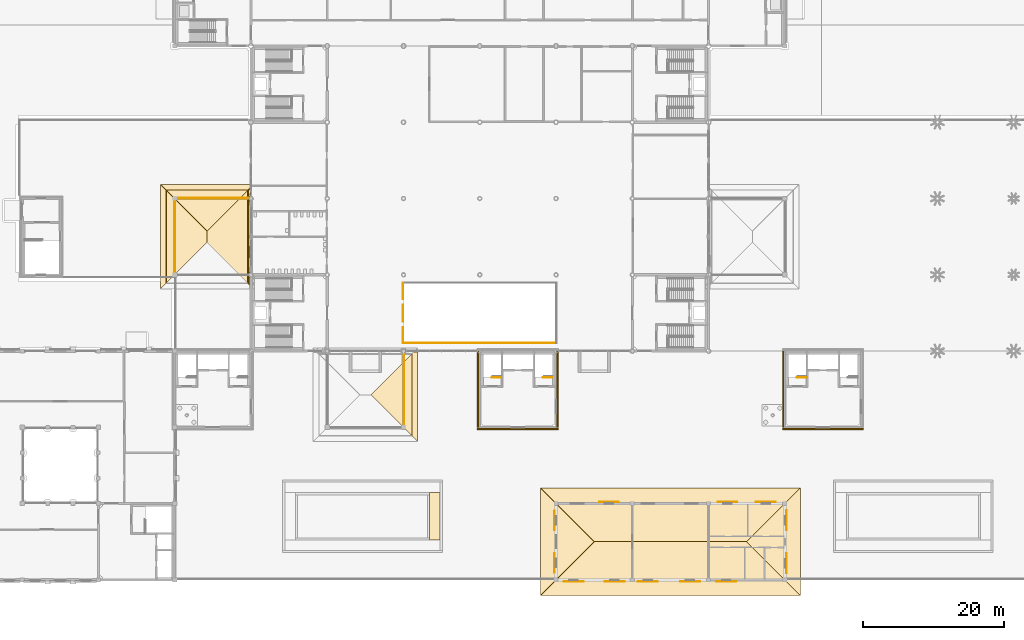
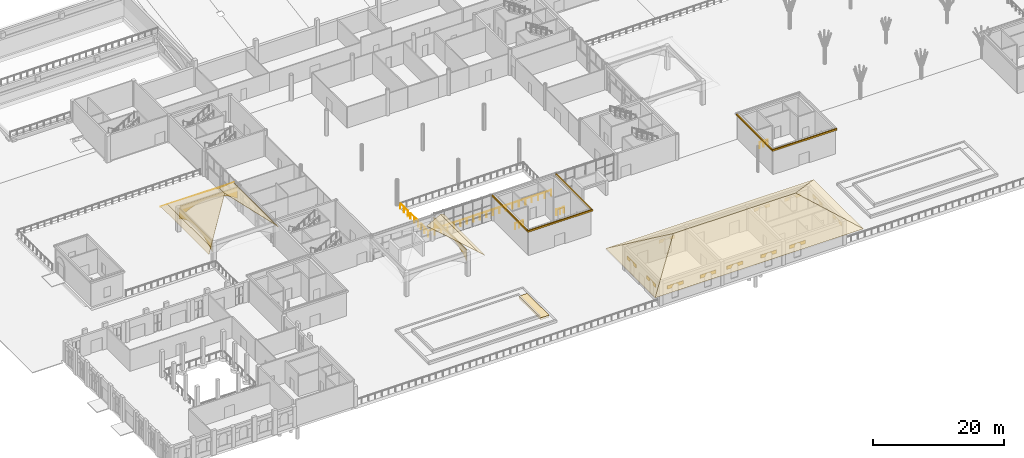
# One storey, part 80 of 91: 33 coverings, 7 railings.
"""IFC4 building model written with IfcOpenShell, lengths in metres."""

from ifc_helpers import new_model, si_unit, direction, frame, origin, origin_2d, place, context, subcontext, project, spatial, polyline, rectangle, circle, outline, extrude, material, layer, layer_set, type_object, element, save


model = new_model("IFC4")

# Units and contexts
model_context = context("Model", 3, precision=1e-05, world=origin(), true_north=direction((0.0, 1.0)))
body_context = subcontext(model_context, "Body", "Model", "MODEL_VIEW")
ifc_project = project(units=[si_unit("LENGTHUNIT", "METRE"), si_unit("AREAUNIT", "SQUARE_METRE"), si_unit("VOLUMEUNIT", "CUBIC_METRE"), si_unit("PLANEANGLEUNIT", "RADIAN"), si_unit("MASSUNIT", "GRAM", prefix="KILO")], contexts=[model_context])

# Site, building, storey
site_placement = place(None, origin())
site = spatial("IfcSite", under=ifc_project, at=site_placement, CompositionType="ELEMENT")
building_placement = place(site_placement, origin())
building = spatial("IfcBuilding", under=site, at=building_placement, Name="Magnolia Steps Interchange", CompositionType="ELEMENT")
storey_placement = place(building_placement, origin())
storey = spatial("IfcBuildingStorey", under=building, at=storey_placement, Name="L00", CompositionType="ELEMENT", Elevation=0.0)

# Coverings
ifc_material_1 = material(Name="Clay pantile")
ifc_layer_1 = layer(ifc_material_1, 0.0400390625)
ifc_layer_set_1 = layer_set([ifc_layer_1], Name="Clay pantile roofing")
covering_type_1 = type_object("IfcCoveringType", Name="Clay pantile roofing", PredefinedType="ROOFING", material=ifc_layer_set_1)
covering_1_placement = place(storey_placement, frame((76.0, 30.39990234375, 4.65283203125), z_axis=(0.500570799371, 0.0, 0.865695601708), x_axis=(0.0, 1.0, 0.0)))
element("IfcCovering", 1, at=covering_1_placement, inside=storey, type_object=covering_type_1, Name="Clay pantile roof PT-S2 4", PredefinedType="ROOFING", context=body_context, shape_type="SweptSolid", body=[
    extrude(outline(polyline([(0.0, 0.0), (11.600097656, 0.0), (5.800048828, 6.699870967), (0.0, 0.0)])), origin(), (0.0, 0.0, -1.0), 0.0400390625),
])
for number, where, z_axis, x_axis, name in (
    (2, (52.800048828125, 52.0, 4.628662109375), (0.615661421178, 0.0, 0.788010795912), (0.0, 1.0, 0.0), "Clay pantile roof PT-W2 1"),
    (3, (41.199951171875, 65.199951171875, 4.628662109375), (-0.615661421178, 0.0, 0.788010795912), (0.0, -1.0, 0.0), "Clay pantile roof PT-W2 2"),
):
    element("IfcCovering", number, at=place(storey_placement, frame(where, z_axis=z_axis, x_axis=x_axis)), inside=storey, type_object=covering_type_1, Name=name, PredefinedType="ROOFING", context=body_context, shape_type="SweptSolid", body=[
        extrude(outline(polyline([(0.0, 0.0), (13.199951172, 0.0), (7.399902344, 7.360367216), (5.800048828, 7.360367216), (0.0, 0.0)])), origin(), (0.0, 0.0, -1.0), 0.0400390625),
    ])
covering_2_placement = place(storey_placement, frame((52.800048828125, 65.199951171875, 4.628662109375), z_axis=(0.0, 0.615661421178, 0.788010795912), x_axis=(-1.0, 0.0, 0.0)))
element("IfcCovering", 4, at=covering_2_placement, inside=storey, type_object=covering_type_1, Name="Clay pantile roof PT-W2 4", PredefinedType="ROOFING", context=body_context, shape_type="SweptSolid", body=[
    extrude(outline(polyline([(0.0, 0.0), (11.600097656, 0.0), (5.800048828, 7.360367216), (0.0, 0.0)])), origin(), (0.0, 0.0, -1.0), 0.0400390625),
])
covering_3_placement = place(storey_placement, frame((76.280029296875, 42.280029296875, 4.490966796875), z_axis=(0.500599481237, -2.409761e-06, 0.865679016368), x_axis=(0.86567901637, -2.35e-10, -0.500599481238)))
element("IfcCovering", 5, at=covering_3_placement, inside=storey, type_object=covering_type_1, Name="Clay pantile eave Portico roof slab PT-S2 4 1", PredefinedType="ROOFING", context=body_context, shape_type="SweptSolid", body=[
    extrude(outline(polyline([(0.0, 0.0), (0.600740934, 0.0), (0.600740937, -12.679931641), (-0.323445136, -11.880126953), (-0.323445139, -0.280029297), (0.0, 0.0)])), origin(), (0.0, 0.0, -1.0), 0.0400390625),
])
covering_4_placement = place(storey_placement, frame((52.89111328125, 64.32470703125, 4.557373046875), z_axis=(0.615676378611, 6.16867e-07, 0.787999109657), x_axis=(-0.567311585353, -0.694036610553, 0.443250209629)))
element("IfcCovering", 6, at=covering_4_placement, inside=storey, type_object=covering_type_1, Name="Clay pantile eave Portico roof slab PT-W2 1 1", PredefinedType="ROOFING", context=body_context, shape_type="SweptSolid", body=[
    extrude(outline(polyline([(0.0, 0.0), (0.028493296, 0.0), (0.4549487, 0.444130237), (0.449129255, 0.469408832), (0.278322541, 0.63407), (7.322895803, 7.941563496), (7.493702517, 7.776902329), (7.524122579, 7.775384), (7.949607665, 8.217736742), (7.944758537, 8.244792832), (7.842582687, 8.343292442), (8.592196448, 9.120883572), (8.637058705, 8.792780856), (-0.524190666, -0.710388137), (-1.038829081, -0.65884279), (-0.218501055, 0.164520175), (-0.220961428, 0.191308132), (-0.274515895, 0.243274846), (-0.264010458, 0.254172371), (0.0, 0.0)])), origin(), (0.0, 0.0, -1.0), 0.0400390625),
])
covering_5_placement = place(storey_placement, frame((41.199951171875, 65.199951171875, 4.628662109375), z_axis=(-0.615770014233, 0.0, 0.78792594168), x_axis=(0.0, -1.0, 0.0)))
element("IfcCovering", 7, at=covering_5_placement, inside=storey, type_object=covering_type_1, Name="Clay pantile eave Portico roof slab PT-W2 2 1", PredefinedType="ROOFING", context=body_context, shape_type="SweptSolid", body=[
    extrude(outline(polyline([(0.0, 0.0), (13.199951172, 0.0), (14.0, -1.01538582), (-0.800048828, -1.01538582), (0.0, 0.0)])), origin(), (0.0, 0.0, -1.0), 0.0400390625),
])
covering_6_placement = place(storey_placement, frame((40.39990234375, 66.0, 4.00341796875), z_axis=(3.482003e-06, 0.615769149408, 0.787926617538), x_axis=(0.999999999994, -2.14411e-06, -2.743563e-06)))
element("IfcCovering", 8, at=covering_6_placement, inside=storey, type_object=covering_type_1, Name="Clay pantile eave Portico roof slab PT-W2 4 1", PredefinedType="ROOFING", context=body_context, shape_type="SweptSolid", body=[
    extrude(outline(polyline([(0.0, 0.0), (12.720214844, 0.0), (12.720214844, -0.609102818), (12.400146484, -1.01538582), (0.800048828, -1.01538582), (0.0, 0.0)])), origin(), (0.0, 0.0, -1.0), 0.0400390625),
])
covering_7_placement = place(storey_placement, frame((94.199951171875, 7.800048828125, 3.424560546875), z_axis=(0.0, -0.529927923074, 0.84804268545), x_axis=(1.0, 0.0, 0.0)))
element("IfcCovering", 9, at=covering_7_placement, inside=storey, type_object=covering_type_1, Name="Clay pantile roof pavilion 1", PredefinedType="ROOFING", context=body_context, shape_type="SweptSolid", body=[
    extrude(outline(polyline([(0.0, 0.0), (36.800048828, 0.0), (29.199951172, 8.961640311), (7.600097656, 8.961640311), (0.0, 0.0)])), origin(), (0.0, 0.0, -1.0), 0.0400390625),
])
covering_8_placement = place(storey_placement, frame((131.0, 23.0, 3.424560546875), z_axis=(0.0, 0.529915680324, 0.848050335621), x_axis=(-1.0, 0.0, 0.0)))
element("IfcCovering", 10, at=covering_8_placement, inside=storey, type_object=covering_type_1, Name="Clay pantile roof pavilion 2", PredefinedType="ROOFING", context=body_context, shape_type="SweptSolid", body=[
    extrude(outline(polyline([(0.0, 0.0), (36.800048828, 0.0), (29.199951172, 8.961847354), (7.600097656, 8.961847354), (0.0, 0.0)])), origin(), (0.0, 0.0, -1.0), 0.0400390625),
])
covering_9_placement = place(storey_placement, frame((94.199951171875, 23.0, 3.424560546875), z_axis=(-0.529915680324, 0.0, 0.848050335621), x_axis=(0.0, -1.0, 0.0)))
element("IfcCovering", 11, at=covering_9_placement, inside=storey, type_object=covering_type_1, Name="Clay pantile roof pavilion 3", PredefinedType="ROOFING", context=body_context, shape_type="SweptSolid", body=[
    extrude(outline(polyline([(0.0, 0.0), (15.199951172, 0.0), (7.600097656, 8.961847354), (0.0, 0.0)])), origin(), (0.0, 0.0, -1.0), 0.0400390625),
])
covering_10_placement = place(storey_placement, frame((131.0, 7.800048828125, 3.424560546875), z_axis=(0.529915680324, 0.0, 0.848050335621), x_axis=(0.0, 1.0, 0.0)))
element("IfcCovering", 12, at=covering_10_placement, inside=storey, type_object=covering_type_1, Name="Clay pantile roof pavilion 4", PredefinedType="ROOFING", context=body_context, shape_type="SweptSolid", body=[
    extrude(outline(polyline([(0.0, 0.0), (15.199951172, 0.0), (7.599853516, 8.961847354), (0.0, 0.0)])), origin(), (0.0, 0.0, -1.0), 0.0400390625),
])
ifc_material_2 = material(Name="Lime render")
ifc_layer_2 = layer(ifc_material_2, 0.080078125)
ifc_layer_set_2 = layer_set([ifc_layer_2], Name="Lime render arch infill")
covering_type_2 = type_object("IfcCoveringType", Name="Lime render arch infill", PredefinedType="CLADDING", material=ifc_layer_set_2)
covering_11_placement = place(storey_placement, frame((74.800048828125, 31.949951171875, 2.39990234375), z_axis=(-1.0, 0.0, 0.0), x_axis=(0.0, 0.0, 1.0)))
element("IfcCovering", 13, at=covering_11_placement, inside=storey, type_object=covering_type_2, Name="Portico arch PT-S2 E", PredefinedType="CLADDING", context=body_context, shape_type="SweptSolid", body=[
    extrude(outline(polyline([(0.0, 0.0), (2.100097656, 0.0), (2.100097656, 10.100097656), (0.0, 10.100097656), (0.391113281, 9.5390625), (0.71875, 8.977783203), (0.991455078, 8.416748047), (1.214599609, 7.855712891), (1.392822266, 7.294433594), (1.528808594, 6.733398438), (1.624511719, 6.172363281), (1.681152344, 5.611083984), (1.700195312, 5.050048828), (1.681152344, 4.489013672), (1.624511719, 3.927734375), (1.528808594, 3.366699219), (1.392822266, 2.805664062), (1.214599609, 2.244384766), (0.991455078, 1.683349609), (0.71875, 1.122314453), (0.391113281, 0.561035156), (0.0, 0.0)])), origin(), (0.0, 0.0, -1.0), 0.080078125),
])
covering_12_placement = place(storey_placement, frame((43.31103515625, 64.0, 2.791015625), z_axis=(0.0, -1.0, 0.0), x_axis=(0.86362899029, 0.0, 0.504127927346)))
element("IfcCovering", 14, at=covering_12_placement, inside=storey, type_object=covering_type_2, Name="Portico arch PT-W2 N", PredefinedType="CLADDING", context=body_context, shape_type="SweptSolid", body=[
    extrude(outline(polyline([(0.0, 0.0), (0.649907892, 0.0), (1.271912364, -0.047317479), (1.868931979, -0.137436883), (2.44351607, -0.266475199), (2.996596801, -0.431866955), (3.529369645, -0.632048452), (4.042660838, -0.866088535), (4.536787156, -1.132475965), (5.011713289, -1.431755516), (5.467685394, -1.763505492), (5.904175848, -2.129114054), (6.320147568, -2.52938928), (6.715037622, -2.966264101), (7.087070457, -3.441811678), (7.434118437, -3.960161179), (7.753473843, -4.525951238), (8.041039787, -5.146684575), (9.099757666, -3.332979357), (0.377020525, 1.758761941), (-0.681697353, -0.054943278), (0.0, 0.0)])), origin(), (0.0, 0.0, -1.0), 0.080078125),
])
covering_13_placement = place(storey_placement, frame((42.39990234375, 54.111083984375, 2.791015625), z_axis=(1.0, 0.0, 0.0), x_axis=(0.0, 0.863533473189, 0.504291523507)))
element("IfcCovering", 15, at=covering_13_placement, inside=storey, type_object=covering_type_2, Name="Portico arch PT-W2 W", PredefinedType="CLADDING", context=body_context, shape_type="SweptSolid", body=[
    extrude(outline(polyline([(0.0, 0.0), (0.649697057, 0.0), (1.271903377, -0.047558428), (1.86890591, -0.13779093), (2.443465545, -0.266938092), (2.996514935, -0.43243462), (3.529249847, -0.632717042), (4.042285871, -0.86673124), (4.536572539, -1.133335391), (5.011441969, -1.432704905), (5.467351219, -1.764541254), (5.903561581, -2.13010938), (6.319668289, -2.530586518), (6.714264751, -2.967413021), (7.086418316, -3.443154185), (7.433368094, -3.961569422), (7.752616311, -4.527419969), (8.039853836, -5.148084653), (9.098915282, -3.33458003), (0.377353697, 1.758690487), (-0.68170775, -0.054814136), (0.0, 0.0)])), origin(), (0.0, 0.0, -1.0), 0.080078125),
])
covering_14_placement = place(storey_placement, frame((97.5, 9.824951171875, 2.679931640625), z_axis=(0.0, 1.0, 0.0), x_axis=(0.0, 0.0, 1.0)))
element("IfcCovering", 16, at=covering_14_placement, inside=storey, type_object=covering_type_2, Name="Pavilion window arch S1", PredefinedType="CLADDING", context=body_context, shape_type="SweptSolid", body=[
    extrude(outline(polyline([(0.0, 0.0), (0.620117188, 0.0), (0.620117188, 2.800048828), (0.0, 2.800048828), (0.0, 2.0), (0.133544922, 1.985107422), (0.260253906, 1.940673828), (0.374267578, 1.869140625), (0.469238281, 1.774169922), (0.540771484, 1.660400391), (0.584960938, 1.533447266), (0.600097656, 1.399902344), (0.584960938, 1.266601562), (0.540771484, 1.139648438), (0.469238281, 1.025878906), (0.374267578, 0.930908203), (0.260253906, 0.859375), (0.133544922, 0.814941406), (0.0, 0.800048828), (0.0, 0.0)])), origin(), (0.0, 0.0, -1.0), 0.080078125),
])
covering_15_placement = place(storey_placement, frame((103.300048828125, 9.824951171875, 2.679931640625), z_axis=(0.0, 1.0, 0.0), x_axis=(0.0, 0.0, 1.0)))
element("IfcCovering", 17, at=covering_15_placement, inside=storey, type_object=covering_type_2, Name="Pavilion window arch S2", PredefinedType="CLADDING", context=body_context, shape_type="SweptSolid", body=[
    extrude(outline(polyline([(0.0, 0.0), (0.620117188, 0.0), (0.620117188, 2.800048828), (0.0, 2.800048828), (0.0, 2.0), (0.133544922, 1.984863281), (0.260253906, 1.940429688), (0.374267578, 1.869140625), (0.469238281, 1.774169922), (0.540771484, 1.66015625), (0.584960938, 1.533447266), (0.600097656, 1.399902344), (0.584960938, 1.266357422), (0.540771484, 1.139648438), (0.469238281, 1.025878906), (0.374267578, 0.930908203), (0.260253906, 0.859375), (0.133544922, 0.814941406), (0.0, 0.800048828), (0.0, 0.0)])), origin(), (0.0, 0.0, -1.0), 0.080078125),
])
for number, where, z_axis, x_axis, name in (
    (18, (108.0, 9.824951171875, 2.679931640625), (0.0, 1.0, 0.0), (0.0, 0.0, 1.0), "Pavilion window arch S3"),
    (19, (114.0, 9.824951171875, 2.679931640625), (0.0, 1.0, 0.0), (0.0, 0.0, 1.0), "Pavilion window arch S4"),
):
    element("IfcCovering", number, at=place(storey_placement, frame(where, z_axis=z_axis, x_axis=x_axis)), inside=storey, type_object=covering_type_2, Name=name, PredefinedType="CLADDING", context=body_context, shape_type="SweptSolid", body=[
        extrude(outline(polyline([(0.0, 0.0), (0.620117188, 0.0), (0.620117188, 2.800048828), (0.0, 2.800048828), (0.0, 2.0), (0.133544922, 1.985107422), (0.260253906, 1.940673828), (0.374267578, 1.869140625), (0.469238281, 1.774169922), (0.540771484, 1.660400391), (0.584960938, 1.533447266), (0.600097656, 1.399902344), (0.584960938, 1.266601562), (0.540771484, 1.139648438), (0.469238281, 1.025878906), (0.374267578, 0.930908203), (0.260253906, 0.859375), (0.133544922, 0.814941406), (0.0, 0.800048828), (0.0, 0.0)])), origin(), (0.0, 0.0, -1.0), 0.080078125),
    ])
covering_16_placement = place(storey_placement, frame((119.10009765625, 9.824951171875, 2.679931640625), z_axis=(0.0, 1.0, 0.0), x_axis=(0.0, 0.0, 1.0)))
element("IfcCovering", 20, at=covering_16_placement, inside=storey, type_object=covering_type_2, Name="Pavilion window arch S5", PredefinedType="CLADDING", context=body_context, shape_type="SweptSolid", body=[
    extrude(outline(polyline([(0.0, 0.0), (0.620117188, 0.0), (0.620117188, 2.799804688), (0.0, 2.799804688), (0.0, 2.0), (0.133544922, 1.984863281), (0.260253906, 1.940429688), (0.374267578, 1.868896484), (0.469238281, 1.773925781), (0.540771484, 1.66015625), (0.584960938, 1.533447266), (0.600097656, 1.399902344), (0.584960938, 1.266357422), (0.540771484, 1.139648438), (0.469238281, 1.025878906), (0.374267578, 0.930908203), (0.260253906, 0.859375), (0.133544922, 0.814941406), (0.0, 0.799804688), (0.0, 0.0)])), origin(), (0.0, 0.0, -1.0), 0.080078125),
])
covering_17_placement = place(storey_placement, frame((103.300048828125, 20.97509765625, 2.679931640625), z_axis=(0.0, -1.0, 0.0), x_axis=(0.1108303469, 0.0, 0.993839340239)))
element("IfcCovering", 21, at=covering_17_placement, inside=storey, type_object=covering_type_2, Name="Pavilion window arch N6", PredefinedType="CLADDING", context=body_context, shape_type="SweptSolid", body=[
    extrude(outline(polyline([(0.0, 0.0), (0.134372747, 0.0), (0.265225711, -0.030116653), (0.386465033, -0.088572989), (0.49137629, -0.172432974), (0.575077918, -0.277573561), (0.633065394, -0.398847038), (0.662882632, -0.529648991), (0.662639995, -0.664048796), (0.632793037, -0.795117338), (0.574309643, -0.916114024), (0.490449658, -1.021025281), (0.385066435, -1.104753967), (0.264062652, -1.162957021), (0.132991005, -1.192558681), (0.221660694, -1.98767868), (0.83795755, -1.918950877), (0.527627167, 0.863847803), (-0.088669689, 0.79512), (0.0, 0.0)])), origin(), (0.0, 0.0, -1.0), 0.080078125),
])
covering_18_placement = place(storey_placement, frame((120.074951171875, 20.97509765625, 2.679931640625), z_axis=(0.0, -1.0, 0.0), x_axis=(0.112624375469, 0.0, 0.993637635182)))
element("IfcCovering", 22, at=covering_18_placement, inside=storey, type_object=covering_type_2, Name="Pavilion window arch N7", PredefinedType="CLADDING", context=body_context, shape_type="SweptSolid", body=[
    extrude(outline(polyline([(0.0, 0.0), (0.134400024, 0.0), (0.265307145, -0.029880371), (0.386624307, -0.087875148), (0.491686788, -0.171545596), (0.575605589, -0.276777489), (0.633784413, -0.397703495), (0.66386524, -0.528693992), (0.66386524, -0.663094016), (0.634227456, -0.793973641), (0.575962596, -0.915075712), (0.492292147, -1.020138193), (0.387060254, -1.104056994), (0.266161744, -1.162478405), (0.135143751, -1.192316645), (0.225248751, -1.98727527), (0.841420527, -1.917434959), (0.526066776, 0.864798937), (-0.090105, 0.794958626), (0.0, 0.0)])), origin(), (0.0, 0.0, -1.0), 0.080078125),
])
covering_19_placement = place(storey_placement, frame((125.5, 20.97509765625, 2.679931640625), z_axis=(0.0, -1.0, 0.0), x_axis=(0.1108303469, 0.0, 0.993839340239)))
element("IfcCovering", 23, at=covering_19_placement, inside=storey, type_object=covering_type_2, Name="Pavilion window arch N8", PredefinedType="CLADDING", context=body_context, shape_type="SweptSolid", body=[
    extrude(outline(polyline([(0.0, 0.0), (0.134372747, 0.0), (0.265225711, -0.030116653), (0.386465033, -0.088572989), (0.49137629, -0.172432974), (0.575077918, -0.277573561), (0.633065394, -0.398847038), (0.66290969, -0.529891627), (0.662639995, -0.664048796), (0.632793037, -0.795117338), (0.574309643, -0.916114024), (0.490449658, -1.021025281), (0.385066435, -1.104753967), (0.264062652, -1.162957021), (0.132991005, -1.192558681), (0.221660694, -1.98767868), (0.83795755, -1.918950877), (0.527627167, 0.863847803), (-0.088669689, 0.79512), (0.0, 0.0)])), origin(), (0.0, 0.0, -1.0), 0.080078125),
])
for number, where, z_axis, x_axis, name in (
    (24, (96.22509765625, 11.800048828125, 2.679931640625), (1.0, 0.0, 0.0), (0.0, 0.1108303469, 0.993839340239), "Pavilion window arch W9"),
    (25, (96.22509765625, 17.800048828125, 2.679931640625), (1.0, 0.0, 0.0), (0.0, 0.1108303469, 0.993839340239), "Pavilion window arch W10"),
):
    element("IfcCovering", number, at=place(storey_placement, frame(where, z_axis=z_axis, x_axis=x_axis)), inside=storey, type_object=covering_type_2, Name=name, PredefinedType="CLADDING", context=body_context, shape_type="SweptSolid", body=[
        extrude(outline(polyline([(0.0, 0.0), (0.134372747, 0.0), (0.265225711, -0.030116653), (0.386465033, -0.088572989), (0.49137629, -0.172432974), (0.575077918, -0.277573561), (0.633065394, -0.398847038), (0.662882632, -0.529648991), (0.662639995, -0.664048796), (0.632793037, -0.795117338), (0.574309643, -0.916114024), (0.490449658, -1.021025281), (0.385066435, -1.104753967), (0.264062652, -1.162957021), (0.132991005, -1.192558681), (0.221660694, -1.98767868), (0.83795755, -1.918950877), (0.527627167, 0.863847803), (-0.088669689, 0.79512), (0.0, 0.0)])), origin(), (0.0, 0.0, -1.0), 0.080078125),
    ])
covering_20_placement = place(storey_placement, frame((128.97509765625, 17.02490234375, 2.679931640625), z_axis=(-1.0, 0.0, 0.0), x_axis=(0.0, 0.0, 1.0)))
element("IfcCovering", 26, at=covering_20_placement, inside=storey, type_object=covering_type_2, Name="Pavilion window arch E11", PredefinedType="CLADDING", context=body_context, shape_type="SweptSolid", body=[
    extrude(outline(polyline([(0.0, 0.0), (0.620117188, 0.0), (0.620117188, 2.800048828), (0.0, 2.800048828), (0.0, 2.0), (0.133544922, 1.985107422), (0.260253906, 1.940673828), (0.374267578, 1.869140625), (0.469238281, 1.774169922), (0.540771484, 1.660400391), (0.584960938, 1.533691406), (0.600097656, 1.400146484), (0.584960938, 1.266601562), (0.540771484, 1.139892578), (0.469238281, 1.025878906), (0.374267578, 0.930908203), (0.260253906, 0.859619141), (0.133544922, 0.815185547), (0.0, 0.800048828), (0.0, 0.0)])), origin(), (0.0, 0.0, -1.0), 0.080078125),
])
covering_21_placement = place(storey_placement, frame((128.97509765625, 10.949951171875, 2.679931640625), z_axis=(-1.0, 0.0, 0.0), x_axis=(0.0, 0.0, 1.0)))
element("IfcCovering", 27, at=covering_21_placement, inside=storey, type_object=covering_type_2, Name="Pavilion window arch E12", PredefinedType="CLADDING", context=body_context, shape_type="SweptSolid", body=[
    extrude(outline(polyline([(0.0, 0.0), (0.620117188, 0.0), (0.620117188, 2.800048828), (0.0, 2.800048828), (0.0, 2.0), (0.133544922, 1.985107422), (0.260253906, 1.940673828), (0.374267578, 1.869140625), (0.469238281, 1.774169922), (0.540771484, 1.660400391), (0.584960938, 1.533447266), (0.600097656, 1.400146484), (0.584960938, 1.266601562), (0.540771484, 1.139648438), (0.469238281, 1.025878906), (0.374267578, 0.930908203), (0.260253906, 0.859375), (0.133544922, 0.814941406), (0.0, 0.800048828), (0.0, 0.0)])), origin(), (0.0, 0.0, -1.0), 0.080078125),
])
ifc_material_3 = material(Name="Lime render")
ifc_layer_3 = layer(ifc_material_3, 0.199951171875)
ifc_layer_set_3 = layer_set([ifc_layer_3], Name="Lime render cornice")
covering_type_3 = type_object("IfcCoveringType", Name="Lime render cornice", PredefinedType="CLADDING", material=ifc_layer_set_3)
covering_22_placement = place(storey_placement, frame((91.0, 31.375, 4.5), z_axis=(0.0, 0.0, 1.0), x_axis=(1.0, 0.0, 0.0)))
element("IfcCovering", 28, at=covering_22_placement, inside=storey, type_object=covering_type_3, Name="Cornice BC2 S", PredefinedType="CLADDING", context=body_context, shape_type="SweptSolid", body=[
    extrude(rectangle(XDim=11.449951171875, YDim=0.199951171875, at=origin_2d()), origin(), (0.0, 0.0, 1.0), 0.300048828125),
])
for number, where, z_axis, x_axis, name in (
    (29, (85.375, 37.0, 4.5), (0.0, 0.0, 1.0), (1.0, 0.0, 0.0), "Cornice BC2 W"),
    (30, (96.625, 37.0, 4.5), (0.0, 0.0, 1.0), (1.0, 0.0, 0.0), "Cornice BC2 E"),
):
    element("IfcCovering", number, at=place(storey_placement, frame(where, z_axis=z_axis, x_axis=x_axis)), inside=storey, type_object=covering_type_3, Name=name, PredefinedType="CLADDING", context=body_context, shape_type="SweptSolid", body=[
        extrude(rectangle(XDim=0.199951171875, YDim=10.800048828125, at=origin_2d()), origin(), (0.0, 0.0, 1.0), 0.300048828125),
    ])
covering_23_placement = place(storey_placement, frame((134.199951171875, 31.375, 4.5), z_axis=(0.0, 0.0, 1.0), x_axis=(1.0, 0.0, 0.0)))
element("IfcCovering", 31, at=covering_23_placement, inside=storey, type_object=covering_type_3, Name="Cornice BC3 S", PredefinedType="CLADDING", context=body_context, shape_type="SweptSolid", body=[
    extrude(rectangle(XDim=11.449951171875, YDim=0.199951171875, at=origin_2d()), origin(), (0.0, 0.0, 1.0), 0.300048828125),
])
covering_24_placement = place(storey_placement, frame((128.574951171875, 37.0, 4.5), z_axis=(0.0, 0.0, 1.0), x_axis=(1.0, 0.0, 0.0)))
element("IfcCovering", 32, at=covering_24_placement, inside=storey, type_object=covering_type_3, Name="Cornice BC3 W", PredefinedType="CLADDING", context=body_context, shape_type="SweptSolid", body=[
    extrude(rectangle(XDim=0.199951171875, YDim=10.800048828125, at=origin_2d()), origin(), (0.0, 0.0, 1.0), 0.300048828125),
])
ifc_material_4 = material(Name="Planting soil")
ifc_layer_4 = layer(ifc_material_4, 0.449951171875)
ifc_layer_set_4 = layer_set([ifc_layer_4], Name="Planting soil 450")
covering_type_4 = type_object("IfcCoveringType", Name="Planting soil 450", PredefinedType="FLOORING", material=ifc_layer_set_4)
covering_25_placement = place(storey_placement, frame((79.25, 19.0, 0.0), z_axis=(0.0, 0.0, 1.0), x_axis=(1.0, 0.0, 0.0)))
element("IfcCovering", 33, at=covering_25_placement, inside=storey, type_object=covering_type_4, Name="Forecourt garden bed 1 terrace soil east", PredefinedType="FLOORING", context=body_context, shape_type="SweptSolid", body=[
    extrude(rectangle(XDim=1.5, YDim=6.699951171875, at=origin_2d()), origin(), (0.0, 0.0, 1.0), 0.39990234375),
])

# Railings
ifc_material_5 = material(Name="Stainless steel grade 304", Category="steel")
railing_type_1 = type_object("IfcRailingType", Name="Stair guard 1100", PredefinedType="GUARDRAIL", material=ifc_material_5)
for number, where, name in (
    (34, (88.64990234375, 38.64990234375, 0.0), "L00 ST19 top well guard 1"),
    (35, (95.89990234375, 38.64990234375, 0.0), "L00 ST20 top well guard 1"),
):
    element("IfcRailing", number, at=place(storey_placement, frame(where)), inside=storey, type_object=railing_type_1, Name=name, PredefinedType="GUARDRAIL", context=body_context, shape_type="SweptSolid", body=[
        extrude(circle(Radius=0.02392578125, at=origin_2d()), frame((0.0, 0.0, 1.076171875), z_axis=(-1.0, 0.0, 0.0), x_axis=(0.0, -1.0, 0.0)), (0.0, 0.0, 1.0), 1.349853515625),
        extrude(circle(Radius=0.02099609375, at=origin_2d()), origin(), (0.0, 0.0, 1.0), 1.052001953125),
        extrude(circle(Radius=0.02099609375, at=origin_2d()), frame((-0.6748046875, 0.0, 0.0)), (0.0, 0.0, 1.0), 1.052001953125),
        extrude(circle(Radius=0.02099609375, at=origin_2d()), frame((-1.349853515625, 0.0, 0.0)), (0.0, 0.0, 1.0), 1.052001953125),
    ])
railing_1_placement = place(storey_placement, frame((131.85009765625, 38.64990234375, 0.0)))
element("IfcRailing", 36, at=railing_1_placement, inside=storey, type_object=railing_type_1, Name="L00 ST21 top well guard 1", PredefinedType="GUARDRAIL", context=body_context, shape_type="SweptSolid", body=[
    extrude(circle(Radius=0.02392578125, at=origin_2d()), frame((0.0, 0.0, 1.076171875), z_axis=(-1.0, 0.0, 0.0), x_axis=(0.0, -1.0, 0.0)), (0.0, 0.0, 1.0), 1.35009765625),
    extrude(circle(Radius=0.02099609375, at=origin_2d()), origin(), (0.0, 0.0, 1.0), 1.052001953125),
    extrude(circle(Radius=0.02099609375, at=origin_2d()), frame((-0.675048828125, 0.0, 0.0)), (0.0, 0.0, 1.0), 1.052001953125),
    extrude(circle(Radius=0.02099609375, at=origin_2d()), frame((-1.35009765625, 0.0, 0.0)), (0.0, 0.0, 1.0), 1.052001953125),
])
ifc_material_6 = material(Name="Stainless steel grade 304", Category="steel")
railing_type_2 = type_object("IfcRailingType", Name="Void edge guard 1100", PredefinedType="GUARDRAIL", material=ifc_material_6)
railing_2_placement = place(storey_placement, frame((96.469970703125, 43.530029296875, 0.0)))
element("IfcRailing", 37, at=railing_2_placement, inside=storey, type_object=railing_type_2, Name="L00 void edge guard EV1 1", PredefinedType="GUARDRAIL", context=body_context, shape_type="SweptSolid", body=[
    extrude(circle(Radius=0.02392578125, at=origin_2d()), frame((0.0, 0.0, 1.076171875), z_axis=(-1.0, 0.0, 0.0), x_axis=(0.0, -1.0, 0.0)), (0.0, 0.0, 1.0), 21.739990234375),
    extrude(circle(Radius=0.02099609375, at=origin_2d()), origin(), (0.0, 0.0, 1.0), 1.052001953125),
    extrude(circle(Radius=0.02099609375, at=origin_2d()), frame((-1.144287109375, 0.0, 0.0)), (0.0, 0.0, 1.0), 1.052001953125),
    extrude(circle(Radius=0.02099609375, at=origin_2d()), frame((-2.288330078125, 0.0, 0.0)), (0.0, 0.0, 1.0), 1.052001953125),
    extrude(circle(Radius=0.02099609375, at=origin_2d()), frame((-3.4326171875, 0.0, 0.0)), (0.0, 0.0, 1.0), 1.052001953125),
    extrude(circle(Radius=0.02099609375, at=origin_2d()), frame((-4.576904296875, 0.0, 0.0)), (0.0, 0.0, 1.0), 1.052001953125),
    extrude(circle(Radius=0.02099609375, at=origin_2d()), frame((-5.720947265625, 0.0, 0.0)), (0.0, 0.0, 1.0), 1.052001953125),
    extrude(circle(Radius=0.02099609375, at=origin_2d()), frame((-6.865234375, 0.0, 0.0)), (0.0, 0.0, 1.0), 1.052001953125),
    extrude(circle(Radius=0.02099609375, at=origin_2d()), frame((-8.009521484375, 0.0, 0.0)), (0.0, 0.0, 1.0), 1.052001953125),
    extrude(circle(Radius=0.02099609375, at=origin_2d()), frame((-9.153564453125, 0.0, 0.0)), (0.0, 0.0, 1.0), 1.052001953125),
    extrude(circle(Radius=0.02099609375, at=origin_2d()), frame((-10.2978515625, 0.0, 0.0)), (0.0, 0.0, 1.0), 1.052001953125),
    extrude(circle(Radius=0.02099609375, at=origin_2d()), frame((-11.442138671875, 0.0, 0.0)), (0.0, 0.0, 1.0), 1.052001953125),
    extrude(circle(Radius=0.02099609375, at=origin_2d()), frame((-12.58642578125, 0.0, 0.0)), (0.0, 0.0, 1.0), 1.052001953125),
    extrude(circle(Radius=0.02099609375, at=origin_2d()), frame((-13.73046875, 0.0, 0.0)), (0.0, 0.0, 1.0), 1.052001953125),
    extrude(circle(Radius=0.02099609375, at=origin_2d()), frame((-14.874755859375, 0.0, 0.0)), (0.0, 0.0, 1.0), 1.052001953125),
    extrude(circle(Radius=0.02099609375, at=origin_2d()), frame((-16.01904296875, 0.0, 0.0)), (0.0, 0.0, 1.0), 1.052001953125),
    extrude(circle(Radius=0.02099609375, at=origin_2d()), frame((-17.1630859375, 0.0, 0.0)), (0.0, 0.0, 1.0), 1.052001953125),
    extrude(circle(Radius=0.02099609375, at=origin_2d()), frame((-18.307373046875, 0.0, 0.0)), (0.0, 0.0, 1.0), 1.052001953125),
    extrude(circle(Radius=0.02099609375, at=origin_2d()), frame((-19.45166015625, 0.0, 0.0)), (0.0, 0.0, 1.0), 1.052001953125),
    extrude(circle(Radius=0.02099609375, at=origin_2d()), frame((-20.595703125, 0.0, 0.0)), (0.0, 0.0, 1.0), 1.052001953125),
    extrude(circle(Radius=0.02099609375, at=origin_2d()), frame((-21.739990234375, 0.0, 0.0)), (0.0, 0.0, 1.0), 1.052001953125),
])
railing_3_placement = place(storey_placement, frame((74.72998046875, 43.530029296875, 0.0)))
element("IfcRailing", 38, at=railing_3_placement, inside=storey, type_object=railing_type_2, Name="L00 void edge guard EV1 2", PredefinedType="GUARDRAIL", context=body_context, shape_type="SweptSolid", body=[
    extrude(circle(Radius=0.02392578125, at=origin_2d()), frame((0.0, 0.0, 1.076171875), z_axis=(0.0, 1.0, 0.0), x_axis=(-1.0, 0.0, 0.0)), (0.0, 0.0, 1.0), 2.22998046875),
    extrude(circle(Radius=0.02099609375, at=origin_2d()), origin(), (0.0, 0.0, 1.0), 1.052001953125),
    extrude(circle(Radius=0.02099609375, at=origin_2d()), frame((0.0, 1.114990234375, 0.0)), (0.0, 0.0, 1.0), 1.052001953125),
    extrude(circle(Radius=0.02099609375, at=origin_2d()), frame((0.0, 2.22998046875, 0.0)), (0.0, 0.0, 1.0), 1.052001953125),
])
railing_4_placement = place(storey_placement, frame((74.72998046875, 46.56005859375, 0.0)))
element("IfcRailing", 39, at=railing_4_placement, inside=storey, type_object=railing_type_2, Name="L00 void edge guard EV1 3", PredefinedType="GUARDRAIL", context=body_context, shape_type="SweptSolid", body=[
    extrude(circle(Radius=0.02392578125, at=origin_2d()), frame((0.0, 0.0, 1.076171875), z_axis=(0.0, 1.0, 0.0), x_axis=(-1.0, 0.0, 0.0)), (0.0, 0.0, 1.0), 2.39990234375),
    extrude(circle(Radius=0.02099609375, at=origin_2d()), origin(), (0.0, 0.0, 1.0), 1.052001953125),
    extrude(circle(Radius=0.02099609375, at=origin_2d()), frame((0.0, 1.199951171875, 0.0)), (0.0, 0.0, 1.0), 1.052001953125),
    extrude(circle(Radius=0.02099609375, at=origin_2d()), frame((0.0, 2.39990234375, 0.0)), (0.0, 0.0, 1.0), 1.052001953125),
])
railing_5_placement = place(storey_placement, frame((74.72998046875, 49.760009765625, 0.0)))
element("IfcRailing", 40, at=railing_5_placement, inside=storey, type_object=railing_type_2, Name="L00 void edge guard EV1 4", PredefinedType="GUARDRAIL", context=body_context, shape_type="SweptSolid", body=[
    extrude(circle(Radius=0.02392578125, at=origin_2d()), frame((0.0, 0.0, 1.076171875), z_axis=(0.0, 1.0, 0.0), x_axis=(-1.0, 0.0, 0.0)), (0.0, 0.0, 1.0), 2.31005859375),
    extrude(circle(Radius=0.02099609375, at=origin_2d()), origin(), (0.0, 0.0, 1.0), 1.052001953125),
    extrude(circle(Radius=0.02099609375, at=origin_2d()), frame((0.0, 1.155029296875, 0.0)), (0.0, 0.0, 1.0), 1.052001953125),
    extrude(circle(Radius=0.02099609375, at=origin_2d()), frame((0.0, 2.31005859375, 0.0)), (0.0, 0.0, 1.0), 1.052001953125),
])

save(model, "model.ifc")
